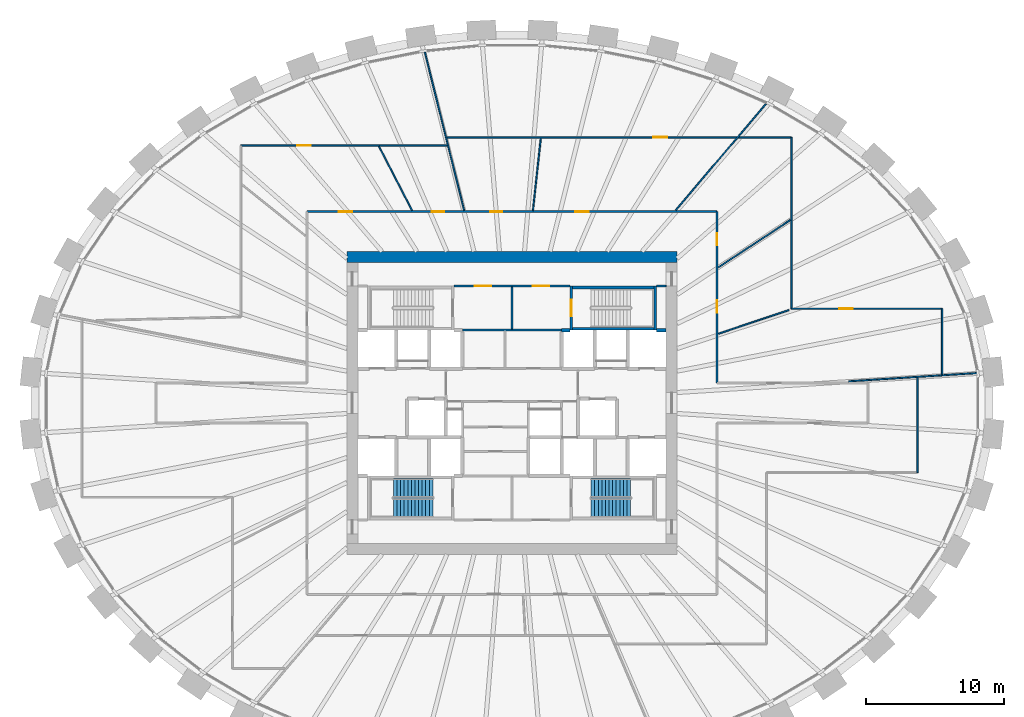
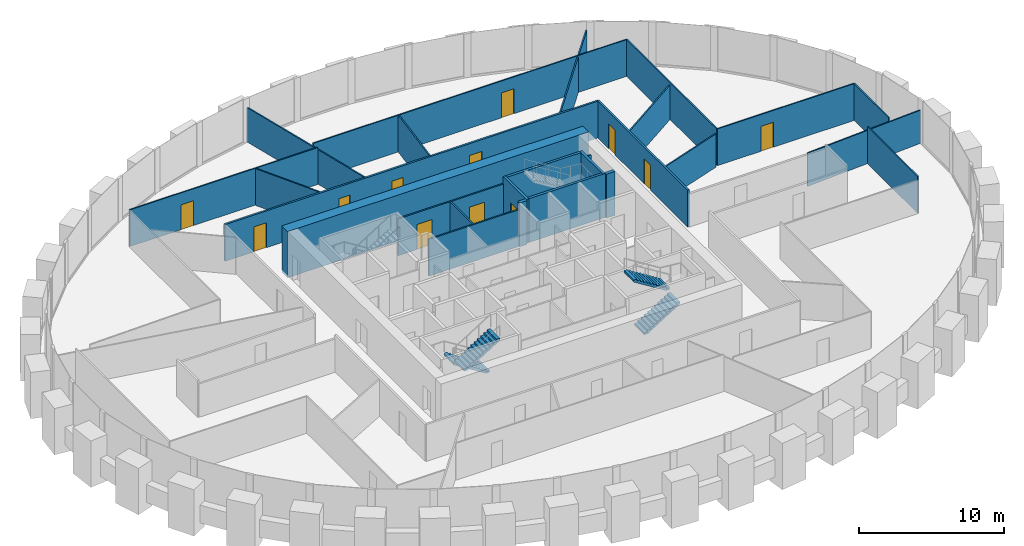
# One storey, part 9 of 11: 26 walls, 12 doors, 4 stair flights, 12 openings, 2 elements without a shape of their own.
"""IFC4 building model written with IfcOpenShell, lengths in metres."""

from ifc_helpers import new_model, si_unit, direction, frame, frame_2d, origin, place, context, subcontext, project, spatial, polyline, rectangle, outline, extrude, source, transform, mapped, material, layer, layer_set, type_object, element, fill, aggregate, save


model = new_model("IFC4")

# Units and contexts
model_context = context("Model", 3, precision=1e-05, world=origin(), true_north=direction((0.0, 1.0)))
body_context = subcontext(model_context, "Body", "Model", "MODEL_VIEW")
ifc_project = project(units=[si_unit("LENGTHUNIT", "METRE"), si_unit("AREAUNIT", "SQUARE_METRE"), si_unit("VOLUMEUNIT", "CUBIC_METRE"), si_unit("PLANEANGLEUNIT", "RADIAN"), si_unit("MASSUNIT", "GRAM", prefix="KILO")], contexts=[model_context])

# Site, building, storey
site_placement = place(None, origin())
site = spatial("IfcSite", under=ifc_project, at=site_placement, CompositionType="ELEMENT")
building_placement = place(site_placement, origin())
building = spatial("IfcBuilding", under=site, at=building_placement, Name="Embergate Tower", CompositionType="ELEMENT")
storey_placement = place(building_placement, frame((0.0, 0.0, 226.800048828125)))
storey = spatial("IfcBuildingStorey", under=building, at=storey_placement, Name="L52", CompositionType="ELEMENT", Elevation=226.800048828125)

# Walls
ifc_material_1 = material(Name="Concrete C70", Category="concrete")
ifc_layer_1 = layer(ifc_material_1, 0.800048828125)
ifc_layer_set_1 = layer_set([ifc_layer_1], Name="Concrete C70")
wall_type_1 = type_object("IfcWallType", Name="Core outer wall C70 800", PredefinedType="SHEAR", material=ifc_layer_set_1)
shared_shape_1 = source(origin(), body_context, "Body", "SweptSolid", [
    extrude(rectangle(XDim=24.0, YDim=0.800048828125, at=frame_2d((12.0, 0.0))), origin(), (0.0, 0.0, 1.0), 3.89990234375),
])
wall_1_placement = place(storey_placement, frame((-12.0, 10.60009765625, -0.199951171875), z_axis=(0.0, 0.0, 1.0), x_axis=(1.0, 0.0, 0.0)))
element("IfcWall", 1, at=wall_1_placement, inside=storey, type_object=wall_type_1, Name="CW-L52-N", PredefinedType="SHEAR", context=body_context, shape_type="MappedRepresentation", body=[
    mapped(shared_shape_1, transform((0.0, 0.0, 0.0))),
])
ifc_material_2 = material(Name="Concrete C50", Category="concrete")
ifc_layer_2 = layer(ifc_material_2, 0.199951171875)
ifc_layer_set_2 = layer_set([ifc_layer_2], Name="Concrete C50")
wall_type_2 = type_object("IfcWallType", Name="Stair enclosure wall reinforced concrete 250", PredefinedType="SHEAR", material=ifc_layer_set_2)
shared_shape_2 = source(origin(), body_context, "Body", "SweptSolid", [
    extrude(rectangle(XDim=6.300048828125, YDim=0.199951171875, at=frame_2d((3.14990234375, 0.0))), origin(), (0.0, 0.0, 1.0), 3.699951171875),
])
for number, where, z_axis, x_axis, name in (
    (2, (10.5, 5.39990234375, 0.0), (0.0, 0.0, 1.0), (-1.0, 0.0, 0.0), "SE-1 wall"),
    (3, (10.5, 8.39990234375, 0.0), (0.0, 0.0, 1.0), (-1.0, 0.0, 0.0), "SE-1 wall"),
):
    element("IfcWall", number, at=place(storey_placement, frame(where, z_axis=z_axis, x_axis=x_axis)), inside=storey, type_object=wall_type_2, Name=name, PredefinedType="SHEAR", context=body_context, shape_type="MappedRepresentation", body=[
        mapped(shared_shape_2, transform((0.0, 0.0, 0.0))),
    ])

# Wall, opening, door
shared_shape_3 = source(origin(), body_context, "Body", "SweptSolid", [
    extrude(rectangle(XDim=3.199951171875, YDim=0.199951171875, at=frame_2d((1.60009765625, 0.0))), origin(), (0.0, 0.0, 1.0), 3.699951171875),
])
wall_2_placement = place(storey_placement, frame((4.300048828125, 8.5, 0.0), z_axis=(0.0, 0.0, 1.0), x_axis=(0.0, -1.0, 0.0)))
wall_2 = element("IfcWall", 4, at=wall_2_placement, inside=storey, type_object=wall_type_2, Name="SE-1 wall", PredefinedType="SHEAR", context=body_context, shape_type="MappedRepresentation", body=[
    mapped(shared_shape_3, transform((0.0, 0.0, 0.0))),
])
shared_shape_4 = source(origin(), body_context, "Body", "SweptSolid", [
    extrude(rectangle(XDim=1.199951171875, YDim=2.10009765625, at=frame_2d((0.60009765625, 1.050048828125))), frame((0.0, 0.10986328125, 0.0), z_axis=(0.0, -1.0, 0.0), x_axis=(1.0, 0.0, 0.0)), (0.0, 0.0, 1.0), 0.219970703125),
])
opening_1_placement = place(wall_2_placement, frame((1.0, 0.0, 0.0)))
opening_1 = element("IfcOpeningElement", 5, at=opening_1_placement, cuts=wall_2, Name="Opening IF-2", PredefinedType="OPENING", context=body_context, shape_type="MappedRepresentation", body=[
    mapped(shared_shape_4, transform((0.0, 0.0, 0.0))),
])
ifc_material_3 = material(Name="Stair enclosure door 1200")
door_type_1 = type_object("IfcDoorType", Name="Stair enclosure door 1200", OperationType="SINGLE_SWING_LEFT", PredefinedType="DOOR", material=ifc_material_3)
shared_shape_5 = source(origin(), body_context, "Body", "SweptSolid", [
    extrude(rectangle(XDim=1.199951171875, YDim=2.10009765625, at=frame_2d((0.60009765625, 1.050048828125))), frame((0.0, 0.02490234375, 0.0), z_axis=(0.0, -1.0, 0.0), x_axis=(1.0, 0.0, 0.0)), (0.0, 0.0, 1.0), 0.050048828125),
])
door_1_placement = place(opening_1_placement, origin())
door_1 = element("IfcDoor", 6, at=door_1_placement, inside=storey, type_object=door_type_1, Name="IF-2 door", OperationType="SINGLE_SWING_RIGHT", OverallHeight=2.10009765625, OverallWidth=1.199951171875, PredefinedType="DOOR", context=body_context, shape_type="MappedRepresentation", body=[
    mapped(shared_shape_5, transform((0.0, 0.0, 0.0))),
])
fill(opening_1, door_1)

# Wall, openings, doors
ifc_material_4 = material(Name="Core partition blockwork 120")
ifc_layer_3 = layer(ifc_material_4, 0.1201171875)
ifc_layer_set_3 = layer_set([ifc_layer_3], Name="Core partition blockwork 120")
wall_type_3 = type_object("IfcWallType", Name="Core partition blockwork 120", PredefinedType="PARTITIONING", material=ifc_layer_set_3)
shared_shape_6 = source(origin(), body_context, "Body", "SweptSolid", [
    extrude(rectangle(XDim=8.39990234375, YDim=0.1201171875, at=frame_2d((4.199951171875, 0.0))), origin(), (0.0, 0.0, 1.0), 3.099853515625),
])
wall_3_placement = place(storey_placement, frame((4.199951171875, 8.5, 0.0), z_axis=(0.0, 0.0, 1.0), x_axis=(-1.0, 0.0, 0.0)))
wall_3 = element("IfcWall", 7, at=wall_3_placement, inside=storey, type_object=wall_type_3, Name="IP-3 wall", PredefinedType="PARTITIONING", context=body_context, shape_type="MappedRepresentation", body=[
    mapped(shared_shape_6, transform((0.0, 0.0, 0.0))),
])
shared_shape_7 = source(origin(), body_context, "Body", "SweptSolid", [
    extrude(rectangle(XDim=1.199951171875, YDim=2.10009765625, at=frame_2d((0.60009765625, 1.050048828125))), frame((0.0, 0.070068359375, 0.0), z_axis=(0.0, -1.0, 0.0), x_axis=(1.0, 0.0, 0.0)), (0.0, 0.0, 1.0), 0.14013671875),
])
opening_2_placement = place(wall_3_placement, frame((5.699951171875, 0.0, 0.0)))
opening_2 = element("IfcOpeningElement", 8, at=opening_2_placement, cuts=wall_3, Name="Opening IF-3f", PredefinedType="OPENING", context=body_context, shape_type="MappedRepresentation", body=[
    mapped(shared_shape_7, transform((0.0, 0.0, 0.0))),
])
opening_3_placement = place(wall_3_placement, frame((1.5, 0.0, 0.0)))
opening_3 = element("IfcOpeningElement", 9, at=opening_3_placement, cuts=wall_3, Name="Opening IF-3f", PredefinedType="OPENING", context=body_context, shape_type="MappedRepresentation", body=[
    mapped(shared_shape_7, transform((0.0, 0.0, 0.0))),
])
ifc_material_5 = material(Name="Lobby fire door pair 1200")
door_type_2 = type_object("IfcDoorType", Name="Lobby fire door pair 1200", OperationType="DOUBLE_DOOR_SINGLE_SWING", PredefinedType="DOOR", material=ifc_material_5)
door_2_placement = place(opening_2_placement, origin())
door_2 = element("IfcDoor", 10, at=door_2_placement, inside=storey, type_object=door_type_2, Name="IF-3 door", OperationType="DOUBLE_DOOR_SINGLE_SWING", OverallHeight=2.10009765625, OverallWidth=1.199951171875, PredefinedType="DOOR", context=body_context, shape_type="MappedRepresentation", body=[
    mapped(shared_shape_5, transform((0.0, 0.0, 0.0))),
])
fill(opening_2, door_2)
door_3_placement = place(opening_3_placement, origin())
door_3 = element("IfcDoor", 11, at=door_3_placement, inside=storey, type_object=door_type_2, Name="IF-3 door", OperationType="DOUBLE_DOOR_SINGLE_SWING", OverallHeight=2.10009765625, OverallWidth=1.199951171875, PredefinedType="DOOR", context=body_context, shape_type="MappedRepresentation", body=[
    mapped(shared_shape_5, transform((0.0, 0.0, 0.0))),
])
fill(opening_3, door_3)

# Walls
ifc_layer_4 = layer(ifc_material_2, 0.25)
ifc_layer_set_4 = layer_set([ifc_layer_4], Name="Concrete C50")
wall_type_4 = type_object("IfcWallType", Name="Hoistway wall reinforced concrete 250", PredefinedType="SHEAR", material=ifc_layer_set_4)
shared_shape_8 = source(origin(), body_context, "Body", "SweptSolid", [
    extrude(rectangle(XDim=0.599853515625, YDim=0.25, at=frame_2d((0.2998046875, 0.0))), origin(), (0.0, 0.0, 1.0), 3.699951171875),
])
wall_4_placement = place(storey_placement, frame((4.199951171875, 5.300048828125, 0.0), z_axis=(0.0, 0.0, 1.0), x_axis=(-1.0, 0.0, 0.0)))
element("IfcWall", 12, at=wall_4_placement, inside=storey, type_object=wall_type_4, Name="HW-1 wall", PredefinedType="SHEAR", context=body_context, shape_type="MappedRepresentation", body=[
    mapped(shared_shape_8, transform((0.0, 0.0, 0.0))),
])
shared_shape_9 = source(origin(), body_context, "Body", "SweptSolid", [
    extrude(rectangle(XDim=3.196044921875, YDim=0.199951171875, at=frame_2d((1.59814453125, 0.0))), origin(), (0.0, 0.0, 1.0), 3.699951171875),
])
wall_5_placement = place(storey_placement, frame((10.39990234375, 5.302001953125, 0.0), z_axis=(0.0, 0.0, 1.0), x_axis=(0.0, 1.0, 0.0)))
element("IfcWall", 13, at=wall_5_placement, inside=storey, type_object=wall_type_2, Name="SE-1 wall", PredefinedType="SHEAR", context=body_context, shape_type="MappedRepresentation", body=[
    mapped(shared_shape_9, transform((0.0, 0.0, 0.0))),
])
shared_shape_10 = source(origin(), body_context, "Body", "SweptSolid", [
    extrude(rectangle(XDim=0.697998046875, YDim=0.25, at=frame_2d((0.34912109375, 0.0))), origin(), (0.0, 0.0, 1.0), 3.699951171875),
])
wall_6_placement = place(storey_placement, frame((11.199951171875, 5.300048828125, 0.0), z_axis=(0.0, 0.0, 1.0), x_axis=(-1.0, 0.0, 0.0)))
element("IfcWall", 14, at=wall_6_placement, inside=storey, type_object=wall_type_4, Name="HW-1 wall", PredefinedType="SHEAR", context=body_context, shape_type="MappedRepresentation", body=[
    mapped(shared_shape_10, transform((0.0, 0.0, 0.0))),
])
shared_shape_11 = source(origin(), body_context, "Body", "SweptSolid", [
    extrude(rectangle(XDim=7.2001953125, YDim=0.1201171875, at=frame_2d((3.60009765625, 0.0))), origin(), (0.0, 0.0, 1.0), 3.099853515625),
])
wall_7_placement = place(storey_placement, frame((-3.60009765625, 5.300048828125, 0.0), z_axis=(0.0, 0.0, 1.0), x_axis=(1.0, 0.0, 0.0)))
element("IfcWall", 15, at=wall_7_placement, inside=storey, type_object=wall_type_3, Name="IP-3 wall", PredefinedType="PARTITIONING", context=body_context, shape_type="MappedRepresentation", body=[
    mapped(shared_shape_11, transform((0.0, 0.0, 0.0))),
])
shared_shape_12 = source(origin(), body_context, "Body", "SweptSolid", [
    extrude(rectangle(XDim=3.079833984375, YDim=0.1201171875, at=frame_2d((1.5400390625, 0.0))), origin(), (0.0, 0.0, 1.0), 3.099853515625),
])
wall_8_placement = place(storey_placement, frame((0.0, 5.360107421875, 0.0), z_axis=(0.0, 0.0, 1.0), x_axis=(0.0, 1.0, 0.0)))
element("IfcWall", 16, at=wall_8_placement, inside=storey, type_object=wall_type_3, Name="IP-3 wall", PredefinedType="PARTITIONING", context=body_context, shape_type="MappedRepresentation", body=[
    mapped(shared_shape_12, transform((0.0, 0.0, 0.0))),
])
shared_shape_13 = source(origin(), body_context, "Body", "SweptSolid", [
    extrude(rectangle(XDim=0.697998046875, YDim=0.1201171875, at=frame_2d((0.34912109375, 0.0))), origin(), (0.0, 0.0, 1.0), 3.099853515625),
])
wall_9_placement = place(storey_placement, frame((10.501953125, 8.5, 0.0), z_axis=(0.0, 0.0, 1.0), x_axis=(1.0, 0.0, 0.0)))
element("IfcWall", 17, at=wall_9_placement, inside=storey, type_object=wall_type_3, Name="IP-3 wall", PredefinedType="PARTITIONING", context=body_context, shape_type="MappedRepresentation", body=[
    mapped(shared_shape_13, transform((0.0, 0.0, 0.0))),
])

# Wall, opening, door
ifc_material_6 = material(Name="Partition dry-lined 100")
ifc_layer_5 = layer(ifc_material_6, 0.10009765625)
ifc_layer_set_5 = layer_set([ifc_layer_5], Name="Partition dry-lined 100")
wall_type_5 = type_object("IfcWallType", Name="Partition dry-lined 100", PredefinedType="PARTITIONING", material=ifc_layer_set_5)
shared_shape_14 = source(origin(), body_context, "Body", "SweptSolid", [
    extrude(rectangle(XDim=10.949951171875, YDim=0.10009765625, at=frame_2d((5.47509765625, 0.0))), origin(), (0.0, 0.0, 1.0), 3.099853515625),
])
wall_10_placement = place(storey_placement, frame((20.300048828125, 6.85009765625, 0.0), z_axis=(0.0, 0.0, 1.0), x_axis=(1.0, 0.0, 0.0)))
wall_10 = element("IfcWall", 18, at=wall_10_placement, inside=storey, type_object=wall_type_5, Name="IP-1 wall", PredefinedType="PARTITIONING", context=body_context, shape_type="MappedRepresentation", body=[
    mapped(shared_shape_14, transform((0.0, 0.0, 0.0))),
])
shared_shape_15 = source(origin(), body_context, "Body", "SweptSolid", [
    extrude(rectangle(XDim=1.0, YDim=2.10009765625, at=frame_2d((0.5, 1.050048828125))), frame((0.0, 0.06005859375, 0.0), z_axis=(0.0, -1.0, 0.0), x_axis=(1.0, 0.0, 0.0)), (0.0, 0.0, 1.0), 0.1201171875),
])
opening_4_placement = place(wall_10_placement, frame((3.45703125, 0.0, 0.0)))
opening_4 = element("IfcOpeningElement", 19, at=opening_4_placement, cuts=wall_10, Name="Opening ID-2", PredefinedType="OPENING", context=body_context, shape_type="MappedRepresentation", body=[
    mapped(shared_shape_15, transform((0.0, 0.0, 0.0))),
])
ifc_material_7 = material(Name="Interior door 1000")
door_type_3 = type_object("IfcDoorType", Name="Interior door 1000", OperationType="SINGLE_SWING_LEFT", PredefinedType="DOOR", material=ifc_material_7)
shared_shape_16 = source(origin(), body_context, "Body", "SweptSolid", [
    extrude(rectangle(XDim=1.0, YDim=2.10009765625, at=frame_2d((0.5, 1.050048828125))), frame((0.0, 0.02490234375, 0.0), z_axis=(0.0, -1.0, 0.0), x_axis=(1.0, 0.0, 0.0)), (0.0, 0.0, 1.0), 0.050048828125),
])
door_4_placement = place(opening_4_placement, origin())
door_4 = element("IfcDoor", 20, at=door_4_placement, inside=storey, type_object=door_type_3, Name="ID-2 door", OperationType="SINGLE_SWING_RIGHT", OverallHeight=2.10009765625, OverallWidth=1.0, PredefinedType="DOOR", context=body_context, shape_type="MappedRepresentation", body=[
    mapped(shared_shape_16, transform((0.0, 0.0, 0.0))),
])
fill(opening_4, door_4)

# Walls
shared_shape_17 = source(origin(), body_context, "Body", "SweptSolid", [
    extrude(rectangle(XDim=10.236083984375, YDim=0.10009765625, at=frame_2d((5.1181640625, 0.0))), origin(), (0.0, 0.0, 1.0), 3.0),
])
wall_11_placement = place(storey_placement, frame((11.89306640625, 14.007080078125, 0.0), z_axis=(0.0, 0.0, 1.0), x_axis=(0.647221146286, 0.762302294238, 0.0)))
element("IfcWall", 21, at=wall_11_placement, inside=storey, type_object=wall_type_5, Name="IP-1 wall", PredefinedType="PARTITIONING", context=body_context, shape_type="MappedRepresentation", body=[
    mapped(shared_shape_17, transform((0.0, 0.0, 0.0))),
])
shared_shape_18 = source(origin(), body_context, "Body", "SweptSolid", [
    extrude(rectangle(XDim=9.401611328125, YDim=0.10009765625, at=frame_2d((4.70068359375, 0.0))), origin(), (0.0, 0.0, 1.0), 2.800048828125),
])
wall_12_placement = place(storey_placement, frame((33.8349609375, 2.178955078125, 0.0), z_axis=(0.0, 0.0, 1.0), x_axis=(-0.997934126107, -0.064245466392, 0.0)))
element("IfcWall", 22, at=wall_12_placement, inside=storey, type_object=wall_type_5, Name="IP-1 wall", PredefinedType="PARTITIONING", context=body_context, shape_type="MappedRepresentation", body=[
    mapped(shared_shape_18, transform((0.0, 0.0, 0.0))),
])
shared_shape_19 = source(origin(), body_context, "Body", "SweptSolid", [
    extrude(rectangle(XDim=5.4072265625, YDim=0.10009765625, at=frame_2d((2.70361328125, 0.0))), origin(), (0.0, 0.0, 1.0), 2.800048828125),
])
wall_13_placement = place(storey_placement, frame((14.990966796875, 5.031982421875, 0.0), z_axis=(0.0, 0.0, 1.0), x_axis=(0.947999306644, 0.318272390576, 0.0)))
element("IfcWall", 23, at=wall_13_placement, inside=storey, type_object=wall_type_5, Name="IP-1 wall", PredefinedType="PARTITIONING", context=body_context, shape_type="MappedRepresentation", body=[
    mapped(shared_shape_19, transform((0.0, 0.0, 0.0))),
])

# Wall, openings, doors
ifc_material_8 = material(Name="Corridor wall dry-lined 150")
ifc_layer_6 = layer(ifc_material_8, 0.14990234375)
ifc_layer_set_6 = layer_set([ifc_layer_6], Name="Corridor wall dry-lined 150")
wall_type_6 = type_object("IfcWallType", Name="Corridor wall dry-lined 150", PredefinedType="PARTITIONING", material=ifc_layer_set_6)
shared_shape_20 = source(origin(), body_context, "Body", "SweptSolid", [
    extrude(rectangle(XDim=29.7998046875, YDim=0.14990234375, at=frame_2d((14.89990234375, 0.0))), origin(), (0.0, 0.0, 1.0), 3.099853515625),
])
wall_14_placement = place(storey_placement, frame((-14.89990234375, 13.89990234375, 0.0), z_axis=(0.0, 0.0, 1.0), x_axis=(1.0, 0.0, 0.0)))
wall_14 = element("IfcWall", 24, at=wall_14_placement, inside=storey, type_object=wall_type_6, Name="IP-2 wall", PredefinedType="PARTITIONING", context=body_context, shape_type="MappedRepresentation", body=[
    mapped(shared_shape_20, transform((0.0, 0.0, 0.0))),
])
shared_shape_21 = source(origin(), body_context, "Body", "SweptSolid", [
    extrude(rectangle(XDim=1.0, YDim=2.10009765625, at=frame_2d((0.5, 1.050048828125))), frame((0.0, 0.0849609375, 0.0), z_axis=(0.0, -1.0, 0.0), x_axis=(1.0, 0.0, 0.0)), (0.0, 0.0, 1.0), 0.169921875),
])
opening_5_placement = place(wall_14_placement, frame((19.492919921875, 0.0, 0.0)))
opening_5 = element("IfcOpeningElement", 25, at=opening_5_placement, cuts=wall_14, Name="Opening ID-2", PredefinedType="OPENING", context=body_context, shape_type="MappedRepresentation", body=[
    mapped(shared_shape_21, transform((0.0, 0.0, 0.0))),
])
shared_shape_22 = source(origin(), body_context, "Body", "SweptSolid", [
    extrude(rectangle(XDim=0.89990234375, YDim=2.10009765625, at=frame_2d((0.449951171875, 1.050048828125))), frame((0.0, 0.0849609375, 0.0), z_axis=(0.0, -1.0, 0.0), x_axis=(1.0, 0.0, 0.0)), (0.0, 0.0, 1.0), 0.169921875),
])
opening_6_placement = place(wall_14_placement, frame((13.305908203125, 0.0, 0.0)))
opening_6 = element("IfcOpeningElement", 26, at=opening_6_placement, cuts=wall_14, Name="Opening IF-1c", PredefinedType="OPENING", context=body_context, shape_type="MappedRepresentation", body=[
    mapped(shared_shape_22, transform((0.0, 0.0, 0.0))),
])
opening_7_placement = place(wall_14_placement, frame((9.073974609375, 0.0, 0.0)))
opening_7 = element("IfcOpeningElement", 27, at=opening_7_placement, cuts=wall_14, Name="Opening IF-1c", PredefinedType="OPENING", context=body_context, shape_type="MappedRepresentation", body=[
    mapped(shared_shape_22, transform((0.0, 0.0, 0.0))),
])
opening_8_placement = place(wall_14_placement, frame((2.31005859375, 0.0, 0.0)))
opening_8 = element("IfcOpeningElement", 28, at=opening_8_placement, cuts=wall_14, Name="Opening ID-2", PredefinedType="OPENING", context=body_context, shape_type="MappedRepresentation", body=[
    mapped(shared_shape_21, transform((0.0, 0.0, 0.0))),
])
ifc_material_9 = material(Name="Escape fire door 900")
door_type_4 = type_object("IfcDoorType", Name="Escape fire door 900", OperationType="SINGLE_SWING_LEFT", PredefinedType="DOOR", material=ifc_material_9)
shared_shape_23 = source(origin(), body_context, "Body", "SweptSolid", [
    extrude(rectangle(XDim=0.89990234375, YDim=2.10009765625, at=frame_2d((0.449951171875, 1.050048828125))), frame((0.0, 0.02490234375, 0.0), z_axis=(0.0, -1.0, 0.0), x_axis=(1.0, 0.0, 0.0)), (0.0, 0.0, 1.0), 0.050048828125),
])
door_5_placement = place(opening_6_placement, origin())
door_5 = element("IfcDoor", 29, at=door_5_placement, inside=storey, type_object=door_type_4, Name="IF-1 door", OperationType="SINGLE_SWING_RIGHT", OverallHeight=2.10009765625, OverallWidth=0.89990234375, PredefinedType="DOOR", context=body_context, shape_type="MappedRepresentation", body=[
    mapped(shared_shape_23, transform((0.0, 0.0, 0.0))),
])
fill(opening_6, door_5)
door_6_placement = place(opening_7_placement, origin())
door_6 = element("IfcDoor", 30, at=door_6_placement, inside=storey, type_object=door_type_4, Name="IF-1 door", OperationType="SINGLE_SWING_LEFT", OverallHeight=2.10009765625, OverallWidth=0.89990234375, PredefinedType="DOOR", context=body_context, shape_type="MappedRepresentation", body=[
    mapped(shared_shape_23, transform((0.0, 0.0, 0.0))),
])
fill(opening_7, door_6)
door_7_placement = place(opening_5_placement, origin())
door_7 = element("IfcDoor", 31, at=door_7_placement, inside=storey, type_object=door_type_3, Name="ID-2 door", OperationType="SINGLE_SWING_RIGHT", OverallHeight=2.10009765625, OverallWidth=1.0, PredefinedType="DOOR", context=body_context, shape_type="MappedRepresentation", body=[
    mapped(shared_shape_16, transform((0.0, 0.0, 0.0))),
])
fill(opening_5, door_7)
door_8_placement = place(opening_8_placement, origin())
door_8 = element("IfcDoor", 32, at=door_8_placement, inside=storey, type_object=door_type_3, Name="ID-2 door", OperationType="SINGLE_SWING_LEFT", OverallHeight=2.10009765625, OverallWidth=1.0, PredefinedType="DOOR", context=body_context, shape_type="MappedRepresentation", body=[
    mapped(shared_shape_16, transform((0.0, 0.0, 0.0))),
])
fill(opening_8, door_8)

shared_shape_24 = source(origin(), body_context, "Body", "SweptSolid", [
    extrude(rectangle(XDim=12.449951171875, YDim=0.14990234375, at=frame_2d((6.22509765625, 0.0))), origin(), (0.0, 0.0, 1.0), 3.099853515625),
])
wall_15_placement = place(storey_placement, frame((14.89990234375, 1.449951171875, 0.0), z_axis=(0.0, 0.0, 1.0), x_axis=(0.0, 1.0, 0.0)))
wall_15 = element("IfcWall", 33, at=wall_15_placement, inside=storey, type_object=wall_type_6, Name="IP-2 wall", PredefinedType="PARTITIONING", context=body_context, shape_type="MappedRepresentation", body=[
    mapped(shared_shape_24, transform((0.0, 0.0, 0.0))),
])
opening_9_placement = place(wall_15_placement, frame((5.10302734375, 0.0, 0.0)))
opening_9 = element("IfcOpeningElement", 34, at=opening_9_placement, cuts=wall_15, Name="Opening IF-1c", PredefinedType="OPENING", context=body_context, shape_type="MappedRepresentation", body=[
    mapped(shared_shape_22, transform((0.0, 0.0, 0.0))),
])
opening_10_placement = place(wall_15_placement, frame((9.9990234375, 0.0, 0.0)))
opening_10 = element("IfcOpeningElement", 35, at=opening_10_placement, cuts=wall_15, Name="Opening IF-1c", PredefinedType="OPENING", context=body_context, shape_type="MappedRepresentation", body=[
    mapped(shared_shape_22, transform((0.0, 0.0, 0.0))),
])
door_9_placement = place(opening_9_placement, origin())
door_9 = element("IfcDoor", 36, at=door_9_placement, inside=storey, type_object=door_type_4, Name="IF-1 door", OperationType="SINGLE_SWING_LEFT", OverallHeight=2.10009765625, OverallWidth=0.89990234375, PredefinedType="DOOR", context=body_context, shape_type="MappedRepresentation", body=[
    mapped(shared_shape_23, transform((0.0, 0.0, 0.0))),
])
fill(opening_9, door_9)
door_10_placement = place(opening_10_placement, origin())
door_10 = element("IfcDoor", 37, at=door_10_placement, inside=storey, type_object=door_type_4, Name="IF-1 door", OperationType="SINGLE_SWING_LEFT", OverallHeight=2.10009765625, OverallWidth=0.89990234375, PredefinedType="DOOR", context=body_context, shape_type="MappedRepresentation", body=[
    mapped(shared_shape_23, transform((0.0, 0.0, 0.0))),
])
fill(opening_10, door_10)

# Walls
shared_shape_25 = source(origin(), body_context, "Body", "SweptSolid", [
    extrude(rectangle(XDim=12.449951171875, YDim=0.10009765625, at=frame_2d((6.22509765625, 0.0))), origin(), (0.0, 0.0, 1.0), 3.099853515625),
])
wall_16_placement = place(storey_placement, frame((20.300048828125, 19.300048828125, 0.0), z_axis=(0.0, 0.0, 1.0), x_axis=(0.0, -1.0, 0.0)))
element("IfcWall", 38, at=wall_16_placement, inside=storey, type_object=wall_type_5, Name="IP-1 wall", PredefinedType="PARTITIONING", context=body_context, shape_type="MappedRepresentation", body=[
    mapped(shared_shape_25, transform((0.0, 0.0, 0.0))),
])
shared_shape_26 = source(origin(), body_context, "Body", "SweptSolid", [
    extrude(rectangle(XDim=6.89697265625, YDim=0.10009765625, at=frame_2d((3.448486328125, 0.0))), origin(), (0.0, 0.0, 1.0), 3.099853515625),
])
wall_17_placement = place(storey_placement, frame((29.449951171875, -5.050048828125, 0.0), z_axis=(0.0, 0.0, 1.0), x_axis=(0.0, 1.0, 0.0)))
element("IfcWall", 39, at=wall_17_placement, inside=storey, type_object=wall_type_5, Name="IP-1 wall", PredefinedType="PARTITIONING", context=body_context, shape_type="MappedRepresentation", body=[
    mapped(shared_shape_26, transform((0.0, 0.0, 0.0))),
])
shared_shape_27 = source(origin(), body_context, "Body", "SweptSolid", [
    extrude(rectangle(XDim=4.787109375, YDim=0.10009765625, at=frame_2d((2.3935546875, 0.0))), origin(), (0.0, 0.0, 1.0), 3.099853515625),
])
wall_18_placement = place(storey_placement, frame((31.25, 6.85009765625, 0.0), z_axis=(0.0, 0.0, 1.0), x_axis=(0.0, -1.0, 0.0)))
element("IfcWall", 40, at=wall_18_placement, inside=storey, type_object=wall_type_5, Name="IP-1 wall", PredefinedType="PARTITIONING", context=body_context, shape_type="MappedRepresentation", body=[
    mapped(shared_shape_27, transform((0.0, 0.0, 0.0))),
])
shared_shape_28 = source(origin(), body_context, "Body", "SweptSolid", [
    extrude(rectangle(XDim=6.247802734375, YDim=0.10009765625, at=frame_2d((3.1240234375, 0.0))), origin(), (0.0, 0.0, 1.0), 2.89990234375),
])
wall_19_placement = place(storey_placement, frame((15.001953125, 9.862060546875, 0.0), z_axis=(0.0, 0.0, 1.0), x_axis=(0.835633737259, 0.549287044408, 0.0)))
element("IfcWall", 41, at=wall_19_placement, inside=storey, type_object=wall_type_5, Name="IP-1 wall", PredefinedType="PARTITIONING", context=body_context, shape_type="MappedRepresentation", body=[
    mapped(shared_shape_28, transform((0.0, 0.0, 0.0))),
])

# Wall, opening, door
shared_shape_29 = source(origin(), body_context, "Body", "SweptSolid", [
    extrude(rectangle(XDim=25.030029296875, YDim=0.10009765625, at=frame_2d((12.51513671875, 0.0))), origin(), (0.0, 0.0, 1.0), 3.099853515625),
])
wall_20_placement = place(storey_placement, frame((-4.72998046875, 19.300048828125, 0.0), z_axis=(0.0, 0.0, 1.0), x_axis=(1.0, 0.0, 0.0)))
wall_20 = element("IfcWall", 42, at=wall_20_placement, inside=storey, type_object=wall_type_5, Name="IP-1 wall", PredefinedType="PARTITIONING", context=body_context, shape_type="MappedRepresentation", body=[
    mapped(shared_shape_29, transform((0.0, 0.0, 0.0))),
])
opening_11_placement = place(wall_20_placement, frame((14.99560546875, 0.0, 0.0)))
opening_11 = element("IfcOpeningElement", 43, at=opening_11_placement, cuts=wall_20, Name="Opening ID-2", PredefinedType="OPENING", context=body_context, shape_type="MappedRepresentation", body=[
    mapped(shared_shape_15, transform((0.0, 0.0, 0.0))),
])
door_11_placement = place(opening_11_placement, origin())
door_11 = element("IfcDoor", 44, at=door_11_placement, inside=storey, type_object=door_type_3, Name="ID-2 door", OperationType="SINGLE_SWING_RIGHT", OverallHeight=2.10009765625, OverallWidth=1.0, PredefinedType="DOOR", context=body_context, shape_type="MappedRepresentation", body=[
    mapped(shared_shape_16, transform((0.0, 0.0, 0.0))),
])
fill(opening_11, door_11)

# Walls
shared_shape_30 = source(origin(), body_context, "Body", "SweptSolid", [
    extrude(rectangle(XDim=5.296142578125, YDim=0.10009765625, at=frame_2d((2.64794921875, 0.0))), origin(), (0.0, 0.0, 1.0), 3.099853515625),
])
wall_21_placement = place(storey_placement, frame((1.52001953125, 13.97998046875, 0.0), z_axis=(0.0, 0.0, 1.0), x_axis=(0.108189913904, 0.994130244248, 0.0)))
element("IfcWall", 45, at=wall_21_placement, inside=storey, type_object=wall_type_5, Name="IP-1 wall", PredefinedType="PARTITIONING", context=body_context, shape_type="MappedRepresentation", body=[
    mapped(shared_shape_30, transform((0.0, 0.0, 0.0))),
])
shared_shape_31 = source(origin(), body_context, "Body", "SweptSolid", [
    extrude(rectangle(XDim=11.931640625, YDim=0.10009765625, at=frame_2d((5.9658203125, 0.0))), origin(), (0.0, 0.0, 1.0), 2.89990234375),
])
wall_22_placement = place(storey_placement, frame((-3.47412109375, 13.987060546875, 0.0), z_axis=(0.0, 0.0, 1.0), x_axis=(-0.24103802615, 0.970515672182, 0.0)))
element("IfcWall", 46, at=wall_22_placement, inside=storey, type_object=wall_type_5, Name="IP-1 wall", PredefinedType="PARTITIONING", context=body_context, shape_type="MappedRepresentation", body=[
    mapped(shared_shape_31, transform((0.0, 0.0, 0.0))),
])
shared_shape_32 = source(origin(), body_context, "Body", "SweptSolid", [
    extrude(rectangle(XDim=5.214111328125, YDim=0.10009765625, at=frame_2d((2.60693359375, 0.0))), origin(), (0.0, 0.0, 1.0), 3.099853515625),
])
wall_23_placement = place(storey_placement, frame((-7.260009765625, 13.998046875, 0.0), z_axis=(0.0, 0.0, 1.0), x_axis=(-0.460276161661, 0.887775790955, 0.0)))
element("IfcWall", 47, at=wall_23_placement, inside=storey, type_object=wall_type_5, Name="IP-1 wall", PredefinedType="PARTITIONING", context=body_context, shape_type="MappedRepresentation", body=[
    mapped(shared_shape_32, transform((0.0, 0.0, 0.0))),
])

# Wall, opening, door
shared_shape_33 = source(origin(), body_context, "Body", "SweptSolid", [
    extrude(rectangle(XDim=14.990966796875, YDim=0.10009765625, at=frame_2d((7.49560546875, 0.0))), origin(), (0.0, 0.0, 1.0), 3.099853515625),
])
wall_24_placement = place(storey_placement, frame((-19.699951171875, 18.699951171875, 0.0), z_axis=(0.0, 0.0, 1.0), x_axis=(1.0, 0.0, 0.0)))
wall_24 = element("IfcWall", 48, at=wall_24_placement, inside=storey, type_object=wall_type_5, Name="IP-1 wall", PredefinedType="PARTITIONING", context=body_context, shape_type="MappedRepresentation", body=[
    mapped(shared_shape_33, transform((0.0, 0.0, 0.0))),
])
opening_12_placement = place(wall_24_placement, frame((4.0810546875, 0.0, 0.0)))
opening_12 = element("IfcOpeningElement", 49, at=opening_12_placement, cuts=wall_24, Name="Opening ID-2", PredefinedType="OPENING", context=body_context, shape_type="MappedRepresentation", body=[
    mapped(shared_shape_15, transform((0.0, 0.0, 0.0))),
])
door_12_placement = place(opening_12_placement, origin())
door_12 = element("IfcDoor", 50, at=door_12_placement, inside=storey, type_object=door_type_3, Name="ID-2 door", OperationType="SINGLE_SWING_RIGHT", OverallHeight=2.10009765625, OverallWidth=1.0, PredefinedType="DOOR", context=body_context, shape_type="MappedRepresentation", body=[
    mapped(shared_shape_16, transform((0.0, 0.0, 0.0))),
])
fill(opening_12, door_12)

# Stair, stair flights
ifc_material_10 = material(Name="Exit stair")
stair_type = type_object("IfcStairType", Name="Exit stair", PredefinedType="HALF_TURN_STAIR", material=ifc_material_10)
stair_1_placement = place(storey_placement, origin())
stair_1 = element("IfcStair", 51, at=stair_1_placement, inside=storey, type_object=stair_type, Name="L52 Exit stair 3", PredefinedType="HALF_TURN_STAIR")
ifc_material_11 = material(Name="Concrete C40", Category="concrete")
stair_flight_type = type_object("IfcStairFlightType", Name="Stair flight reinforced concrete", PredefinedType="STRAIGHT", material=ifc_material_11)
shared_shape_34 = source(origin(), body_context, "Body", "SweptSolid", [
    extrude(outline(polyline([(0.0, 0.0), (0.0, 0.16259765625), (0.260009765625, 0.16259765625), (0.260009765625, 0.324951171875), (0.52001953125, 0.324951171875), (0.52001953125, 0.487548828125), (0.780029296875, 0.487548828125), (0.780029296875, 0.64990234375), (1.0400390625, 0.64990234375), (1.0400390625, 0.8125), (1.300048828125, 0.8125), (1.300048828125, 0.97509765625), (1.56005859375, 0.97509765625), (1.56005859375, 1.137451171875), (1.820068359375, 1.137451171875), (1.820068359375, 1.300048828125), (2.080078125, 1.300048828125), (2.080078125, 1.46240234375), (2.340087890625, 1.46240234375), (2.340087890625, 1.625), (2.60009765625, 1.625), (2.60009765625, 1.78759765625), (2.860107421875, 1.78759765625), (2.860107421875, 1.949951171875), (2.860107421875, 1.61083984375), (0.28271484375, 0.0), (0.0, 0.0)])), frame((0.0, 0.675048828125, 0.0), z_axis=(0.0, -1.0, 0.0), x_axis=(1.0, 0.0, 0.0)), (0.0, 0.0, 1.0), 1.35009765625),
])
stair_flight_1_placement = place(storey_placement, frame((-5.75, -6.175048828125, 0.0), z_axis=(0.0, 0.0, 1.0), x_axis=(-1.0, 0.0, 0.0)))
stair_flight_1 = element("IfcStairFlight", 52, at=stair_flight_1_placement, type_object=stair_flight_type, Name="ST3 flight 1", NumberOfRisers=12, NumberOfTreads=11, PredefinedType="STRAIGHT", RiserHeight=0.1625, TreadLength=0.26, context=body_context, shape_type="MappedRepresentation", body=[
    mapped(shared_shape_34, transform((0.0, 0.0, 0.0))),
])
stair_flight_2_placement = place(storey_placement, frame((-8.610107421875, -7.625, 1.949951171875), z_axis=(0.0, 0.0, 1.0), x_axis=(1.0, 0.0, 0.0)))
stair_flight_2 = element("IfcStairFlight", 53, at=stair_flight_2_placement, type_object=stair_flight_type, Name="ST3 flight 2", NumberOfRisers=12, NumberOfTreads=11, PredefinedType="STRAIGHT", RiserHeight=0.1625, TreadLength=0.26, context=body_context, shape_type="MappedRepresentation", body=[
    mapped(shared_shape_34, transform((0.0, 0.0, 0.0))),
])
aggregate(stair_1, [stair_flight_1, stair_flight_2])

stair_2_placement = place(storey_placement, origin())
stair_2 = element("IfcStair", 54, at=stair_2_placement, inside=storey, type_object=stair_type, Name="L52 Exit stair 4", PredefinedType="HALF_TURN_STAIR")
stair_flight_3_placement = place(storey_placement, frame((5.75, -7.625, 0.0), z_axis=(0.0, 0.0, 1.0), x_axis=(1.0, 0.0, 0.0)))
stair_flight_3 = element("IfcStairFlight", 55, at=stair_flight_3_placement, type_object=stair_flight_type, Name="ST4 flight 1", NumberOfRisers=12, NumberOfTreads=11, PredefinedType="STRAIGHT", RiserHeight=0.1625, TreadLength=0.26, context=body_context, shape_type="MappedRepresentation", body=[
    mapped(shared_shape_34, transform((0.0, 0.0, 0.0))),
])
stair_flight_4_placement = place(storey_placement, frame((8.610107421875, -6.175048828125, 1.949951171875), z_axis=(0.0, 0.0, 1.0), x_axis=(-1.0, 0.0, 0.0)))
stair_flight_4 = element("IfcStairFlight", 56, at=stair_flight_4_placement, type_object=stair_flight_type, Name="ST4 flight 2", NumberOfRisers=12, NumberOfTreads=11, PredefinedType="STRAIGHT", RiserHeight=0.1625, TreadLength=0.26, context=body_context, shape_type="MappedRepresentation", body=[
    mapped(shared_shape_34, transform((0.0, 0.0, 0.0))),
])
aggregate(stair_2, [stair_flight_3, stair_flight_4])

save(model, "model.ifc")
